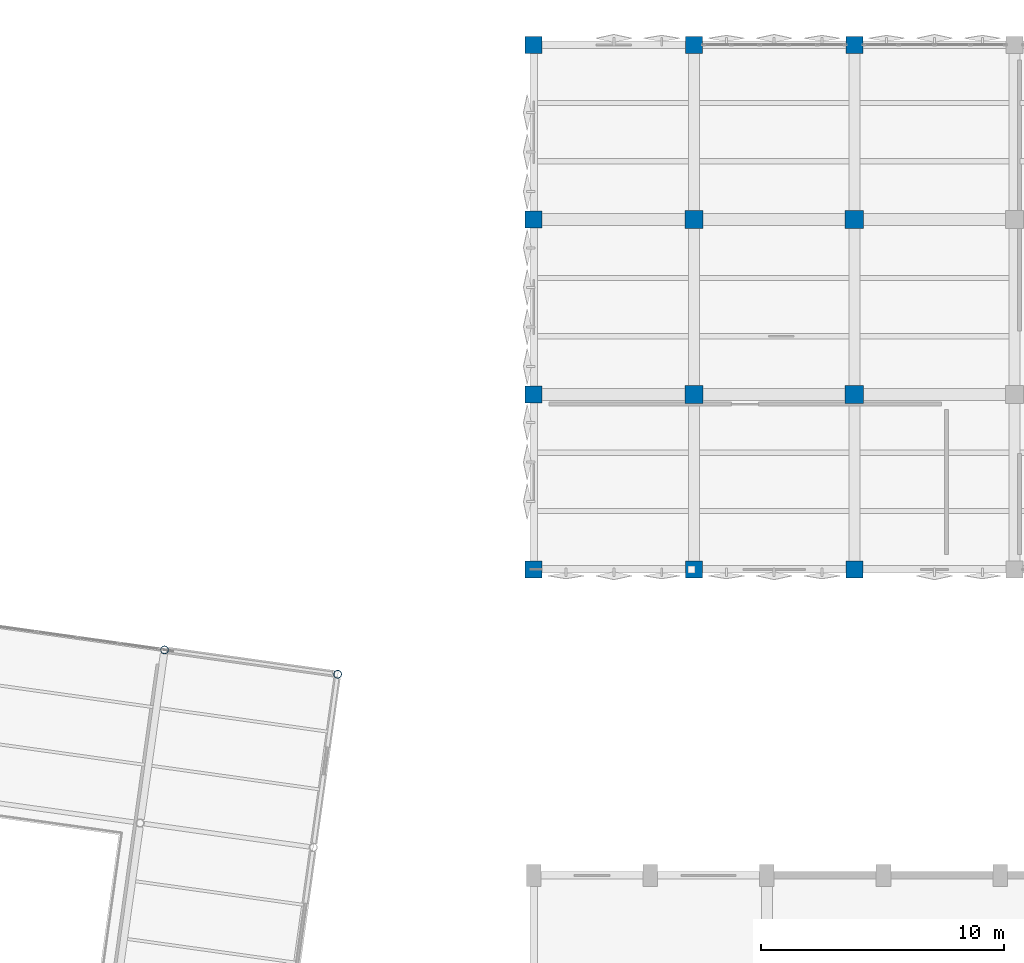
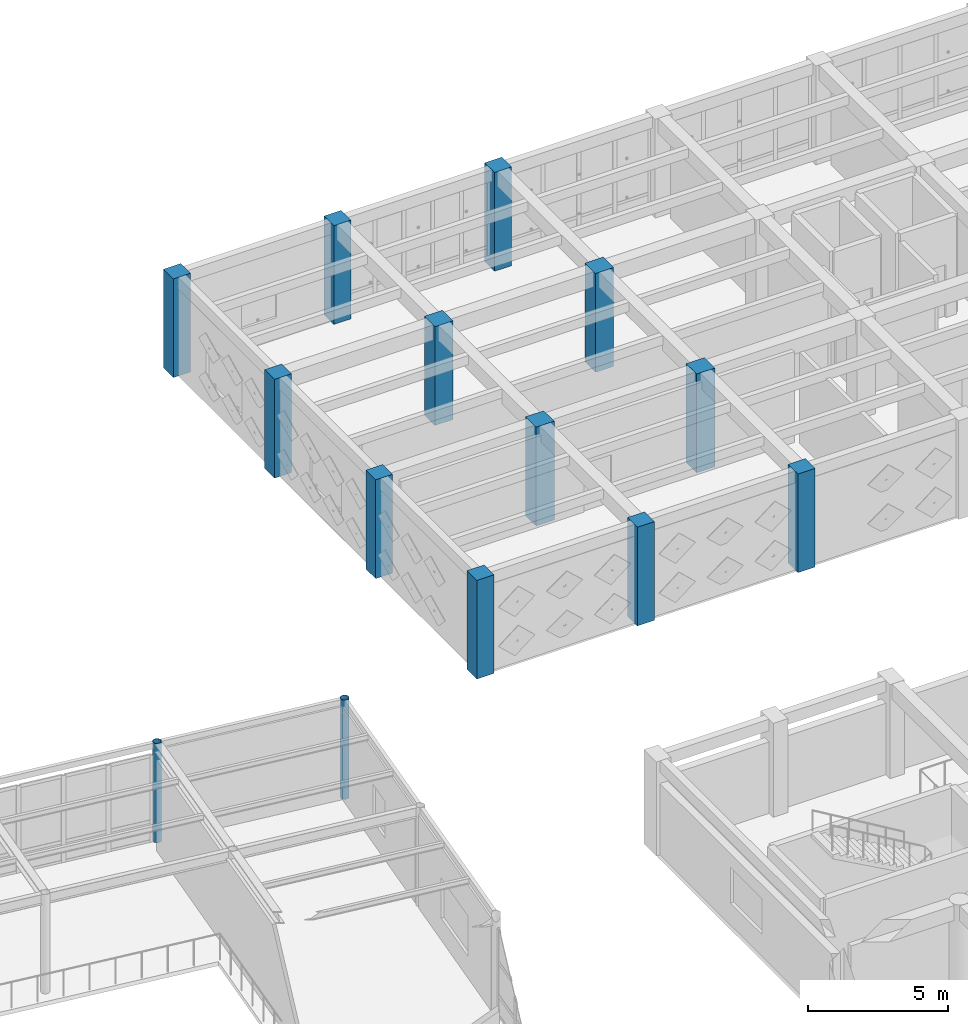
# One storey, part 9 of 80: 14 columns.
"""IFC4 building model written with IfcOpenShell, lengths in metres."""

import ifcopenshell
import ifcopenshell.guid

model = None  # the IFC model being written
_history = None  # IfcOwnerHistory: only IFC2X3 demands one
_inside = {}  # id of a spatial element -> (the spatial element, [elements in it])
_under = {}  # id of a project, library or spatial element -> (it, [spatial elements below it])
_declared = {}  # id of a project -> (the project, [libraries it declares])
_typed = {}  # id of a type object -> (the type object, [elements of that type])
_made_of = {}  # id of a material, layer set ... -> (it, [elements and type objects made of it])


def new_model(schema):
    """Start an empty IFC model of exactly this schema.

    Asked for "IFC4X3", IfcOpenShell would pick the latest addendum, in which some entities
    have other attributes; the version numbers below select the first issue.
    IFC2X3 requires an IfcOwnerHistory on every rooted entity: one is made here for all.
    """
    global model, _history
    if schema == "IFC4X3":
        model = ifcopenshell.file(schema_version=(4, 3, 0, 0))
    else:
        model = ifcopenshell.file(schema=schema)
    _inside.clear()
    _under.clear()
    _declared.clear()
    _typed.clear()
    _made_of.clear()
    _history = None
    if model.schema == "IFC2X3":
        org = make("IfcOrganization", Name="unknown")
        user = make(
            "IfcPersonAndOrganization",
            ThePerson=make("IfcPerson", FamilyName="unknown"),
            TheOrganization=org,
        )
        app = make(
            "IfcApplication",
            ApplicationDeveloper=org,
            Version="unknown",
            ApplicationFullName="unknown",
            ApplicationIdentifier="unknown",
        )
        _history = make(
            "IfcOwnerHistory",
            OwningUser=user,
            OwningApplication=app,
            ChangeAction="ADDED",
            CreationDate=0,
        )
    return model


def make(cls, **values):
    """One entity of the class cls with the attributes given. An attribute that is None is left unset."""
    return model.create_entity(
        cls, **{name: value for name, value in values.items() if value is not None}
    )


def rooted(cls, **values):
    """An entity with a GlobalId (a new one), such as an element, a storey or a relation."""
    return make(cls, GlobalId=ifcopenshell.guid.new(), OwnerHistory=_history, **values)


def si_unit(unit_type, name, prefix=None):
    """IfcSIUnit, for example si_unit("LENGTHUNIT", "METRE", prefix="MILLI")."""
    return make("IfcSIUnit", UnitType=unit_type, Prefix=prefix, Name=name)


def assignment(units):
    """IfcUnitAssignment: the units of a project."""
    return None if units is None else make("IfcUnitAssignment", Units=units)


def point(xyz):
    """IfcCartesianPoint."""
    return None if xyz is None else make("IfcCartesianPoint", Coordinates=xyz)


def direction(xyz):
    """IfcDirection."""
    return None if xyz is None else make("IfcDirection", DirectionRatios=xyz)


def frame(location, z_axis=None, x_axis=None):
    """IfcAxis2Placement3D, a coordinate frame: its origin and axes. An axis left out is left unset."""
    return make(
        "IfcAxis2Placement3D",
        Location=point(location),
        Axis=direction(z_axis),
        RefDirection=direction(x_axis),
    )


def frame_2d(location, x_axis=None):
    """IfcAxis2Placement2D, a coordinate frame in the plane: its origin and x axis."""
    return make(
        "IfcAxis2Placement2D", Location=point(location), RefDirection=direction(x_axis)
    )


def origin():
    """The frame at (0, 0, 0) with its axes left unset."""
    return frame((0.0, 0.0, 0.0))


def origin_2d():
    """The frame at (0, 0) in the plane with its x axis left unset."""
    return frame_2d((0.0, 0.0))


def place(relative_to, where):
    """IfcLocalPlacement: puts the frame where relative to a parent placement (None: the world)."""
    return make(
        "IfcLocalPlacement", PlacementRelTo=relative_to, RelativePlacement=where
    )


def context(
    kind, dimensions, precision=None, world=None, true_north=None, identifier=None
):
    """IfcGeometricRepresentationContext, for example the 3D "Model" context."""
    return make(
        "IfcGeometricRepresentationContext",
        ContextIdentifier=identifier,
        ContextType=kind,
        CoordinateSpaceDimension=dimensions,
        Precision=precision,
        WorldCoordinateSystem=world,
        TrueNorth=true_north,
    )


def subcontext(parent, identifier, kind, view, scale=None):
    """IfcGeometricRepresentationSubContext, for example "Body" below "Model"."""
    return make(
        "IfcGeometricRepresentationSubContext",
        ContextIdentifier=identifier,
        ContextType=kind,
        ParentContext=parent,
        TargetScale=scale,
        TargetView=view,
    )


def project(units=None, contexts=None):
    """IfcProject with its units and contexts."""
    return rooted(
        "IfcProject",
        Name="project",
        RepresentationContexts=contexts,
        UnitsInContext=assignment(units),
    )


def spatial(cls, under=None, at=None, **own):
    """A site, building, storey or space (cls), placed at a placement, below another one or the project."""
    s = rooted(cls, ObjectPlacement=at, **own)
    if under is not None:
        _under.setdefault(under.id(), (under, []))[1].append(s)
    return s


def profile(cls, at=None, kind="AREA", **sizes):
    """A parametric profile (cls). Its sizes go by their IFC names, for example OverallWidth=200.0."""
    return make(cls, ProfileType=kind, Position=at, **sizes)


def rectangle(**sizes):
    """IfcRectangleProfileDef."""
    return profile("IfcRectangleProfileDef", **sizes)


def hollow_circle(**sizes):
    """IfcCircleHollowProfileDef."""
    return profile("IfcCircleHollowProfileDef", **sizes)


def extrude(swept, where, along, depth):
    """IfcExtrudedAreaSolid: the profile swept, set in the frame where, extruded along a direction by depth."""
    return make(
        "IfcExtrudedAreaSolid",
        SweptArea=swept,
        Position=where,
        ExtrudedDirection=direction(along),
        Depth=depth,
    )


def shape(context_of_items, identifier, shape_type, items):
    """IfcShapeRepresentation: the items that make up one representation, for example the "Body"."""
    return make(
        "IfcShapeRepresentation",
        ContextOfItems=context_of_items,
        RepresentationIdentifier=identifier,
        RepresentationType=shape_type,
        Items=items,
    )


def material(Name=None, Category=None):
    """IfcMaterial."""
    return make("IfcMaterial", Name=Name, Category=Category)


def material_profile(
    of_material, cross_section, Name=None, Category=None, Priority=None
):
    """IfcMaterialProfile: a cross section and its material."""
    return make(
        "IfcMaterialProfile",
        Name=Name,
        Material=of_material,
        Profile=cross_section,
        Priority=Priority,
        Category=Category,
    )


def profile_set(profiles, Name=None, composite=None):
    """IfcMaterialProfileSet."""
    return make(
        "IfcMaterialProfileSet",
        Name=Name,
        MaterialProfiles=profiles,
        CompositeProfile=composite,
    )


def made_of(thing, what):
    """Note that an element or type object is made of a material, layer set ...; save() writes the relation."""
    if what is not None:
        _made_of.setdefault(what.id(), (what, []))[1].append(thing)
    return thing


def type_object(cls, material=None, **own):
    """A type object (cls), such as IfcWallType, which elements share."""
    return made_of(rooted(cls, **own), material)


def element(
    cls,
    number,
    at=None,
    inside=None,
    cuts=None,
    type_object=None,
    material=None,
    context=None,
    identifier="Body",
    shape_type=None,
    held_by="IfcProductDefinitionShape",
    body=None,
    shapes=None,
    **own,
):
    """One element of the class cls, such as IfcWall. Its Tag is "e" and its number.

    at: its placement. inside: the storey or other place that contains it. cuts: it is an
    opening in that element (IfcRelVoidsElement). A single representation is given by context,
    identifier, shape_type and body (its items); several are given by shapes. held_by: the class
    of the entity that holds the representations. save() writes the other relations.
    """
    e = rooted(cls, Tag="e%d" % number, ObjectPlacement=at, **own)
    if body is not None:
        shapes = [shape(context, identifier, shape_type, body)]
    if shapes is not None:
        e.Representation = make(held_by, Representations=shapes)
    if inside is not None:
        _inside.setdefault(inside.id(), (inside, []))[1].append(e)
    if cuts is not None:
        rooted(
            "IfcRelVoidsElement", RelatingBuildingElement=cuts, RelatedOpeningElement=e
        )
    if type_object is not None:
        _typed.setdefault(type_object.id(), (type_object, []))[1].append(e)
    return made_of(e, material)


def aggregate(whole, parts):
    """IfcRelAggregates: a whole, such as a stair, and the parts it consists of."""
    return rooted("IfcRelAggregates", RelatingObject=whole, RelatedObjects=parts)


def save(model, path):
    """Write the relations noted so far, then the file.

    IfcRelAggregates (storeys below a building ...), IfcRelContainedInSpatialStructure (elements
    in a storey), IfcRelDefinesByType, IfcRelAssociatesMaterial and IfcRelDeclares: one each for
    every whole, place, type object, material and project.
    """
    for whole, parts in _under.values():
        aggregate(whole, parts)
    for where, things in _inside.values():
        rooted(
            "IfcRelContainedInSpatialStructure",
            RelatedElements=things,
            RelatingStructure=where,
        )
    for kind, things in _typed.values():
        rooted("IfcRelDefinesByType", RelatedObjects=things, RelatingType=kind)
    for what, things in _made_of.values():
        rooted("IfcRelAssociatesMaterial", RelatedObjects=things, RelatingMaterial=what)
    for by, libraries in _declared.values():
        rooted("IfcRelDeclares", RelatingContext=by, RelatedDefinitions=libraries)
    model.write(path)


model = new_model("IFC4")

# Units and contexts
model_context = context("Model", 3, precision=1e-05, world=origin(), true_north=direction((0.0, 1.0)))
body_context = subcontext(model_context, "Body", "Model", "MODEL_VIEW")
ifc_project = project(units=[si_unit("LENGTHUNIT", "METRE"), si_unit("AREAUNIT", "SQUARE_METRE"), si_unit("VOLUMEUNIT", "CUBIC_METRE"), si_unit("PLANEANGLEUNIT", "RADIAN"), si_unit("MASSUNIT", "GRAM", prefix="KILO")], contexts=[model_context])

# Site, building, storey
site_placement = place(None, origin())
site = spatial("IfcSite", under=ifc_project, at=site_placement, CompositionType="ELEMENT")
building_placement = place(site_placement, origin())
building = spatial("IfcBuilding", under=site, at=building_placement, Name="Kharisveld Research Institute", CompositionType="ELEMENT")
storey_placement = place(building_placement, frame((0.0, 0.0, 5.10009765625)))
storey = spatial("IfcBuildingStorey", under=building, at=storey_placement, Name="L01", CompositionType="ELEMENT", Elevation=5.10009765625)

# Columns
ifc_material_1 = material(Name="Concrete C40/50", Category="concrete")
ifc_material_profile_1 = material_profile(ifc_material_1, rectangle(XDim=0.699951171875, YDim=0.699951171875, at=origin_2d()))
ifc_profile_set_1 = profile_set([ifc_material_profile_1], Name="Concrete C40/50")
column_type_1 = type_object("IfcColumnType", Name="COL_RC_700", PredefinedType="COLUMN", material=ifc_profile_set_1)
for number, where, z_axis, x_axis, name in (
    (1, (114.60009765625, 39.199951171875, 0.0), (0.0, 0.0, 1.0), (1.0, 0.0, 0.0), "COL:V2:L01:U0V0"),
    (2, (114.60009765625, 46.39990234375, 0.0), (0.0, 0.0, 1.0), (1.0, 0.0, 0.0), "COL:V2:L01:U0V1"),
    (3, (114.60009765625, 53.60009765625, 0.0), (0.0, 0.0, 1.0), (1.0, 0.0, 0.0), "COL:V2:L01:U0V2"),
    (4, (114.60009765625, 60.800048828125, 0.0), (0.0, 0.0, 1.0), (1.0, 0.0, 0.0), "COL:V2:L01:U0V3"),
    (5, (121.199951171875, 39.199951171875, 0.0), (0.0, 0.0, 1.0), (1.0, 0.0, 0.0), "COL:V2:L01:U1V0"),
    (6, (121.199951171875, 60.800048828125, 0.0), (0.0, 0.0, 1.0), (1.0, 0.0, 0.0), "COL:V2:L01:U1V3"),
    (7, (127.800048828125, 39.199951171875, 0.0), (0.0, 0.0, 1.0), (1.0, 0.0, 0.0), "COL:V2:L01:U2V0"),
    (8, (127.800048828125, 60.800048828125, 0.0), (0.0, 0.0, 1.0), (1.0, 0.0, 0.0), "COL:V2:L01:U2V3"),
):
    element("IfcColumn", number, at=place(storey_placement, frame(where, z_axis=z_axis, x_axis=x_axis)), inside=storey, type_object=column_type_1, Name=name, PredefinedType="COLUMN", context=body_context, shape_type="SweptSolid", body=[
        extrude(rectangle(XDim=0.699951171875, YDim=0.699951171875, at=origin_2d()), origin(), (0.0, 0.0, 1.0), 4.289794921875),
    ])
ifc_material_2 = material(Name="Concrete C50/60", Category="concrete")
ifc_material_profile_2 = material_profile(ifc_material_2, rectangle(XDim=0.75, YDim=0.75, at=origin_2d()))
ifc_profile_set_2 = profile_set([ifc_material_profile_2], Name="Concrete C50/60")
column_type_2 = type_object("IfcColumnType", Name="COL_RC_750", PredefinedType="COLUMN", material=ifc_profile_set_2)
for number, where, z_axis, x_axis, name in (
    (9, (121.199951171875, 46.39990234375, 0.0), (0.0, 0.0, 1.0), (1.0, 0.0, 0.0), "COL:V2:L01:U1V1"),
    (10, (121.199951171875, 53.60009765625, 0.0), (0.0, 0.0, 1.0), (1.0, 0.0, 0.0), "COL:V2:L01:U1V2"),
    (11, (127.800048828125, 46.39990234375, 0.0), (0.0, 0.0, 1.0), (1.0, 0.0, 0.0), "COL:V2:L01:U2V1"),
    (12, (127.800048828125, 53.60009765625, 0.0), (0.0, 0.0, 1.0), (1.0, 0.0, 0.0), "COL:V2:L01:U2V2"),
):
    element("IfcColumn", number, at=place(storey_placement, frame(where, z_axis=z_axis, x_axis=x_axis)), inside=storey, type_object=column_type_2, Name=name, PredefinedType="COLUMN", context=body_context, shape_type="SweptSolid", body=[
        extrude(rectangle(XDim=0.75, YDim=0.75, at=origin_2d()), origin(), (0.0, 0.0, 1.0), 4.289794921875),
    ])
ifc_material_3 = material(Name="Steel S355J2H", Category="steel")
ifc_material_profile_3 = material_profile(ifc_material_3, hollow_circle(Radius=0.161865234375, WallThickness=0.012451171875, at=origin_2d()))
ifc_profile_set_3 = profile_set([ifc_material_profile_3], Name="Steel S355J2H")
column_type_3 = type_object("IfcColumnType", Name="COL_ST_CHS324", PredefinedType="COLUMN", material=ifc_profile_set_3)
for number, where, z_axis, x_axis, name in (
    (13, (99.39599609375, 35.883544921875, 0.0), (0.0, 0.0, 1.0), (0.990268068742, -0.13917310096, 0.0), "COL:V4:L01:U3V3"),
    (14, (106.52587890625, 34.881591796875, 0.0), (0.0, 0.0, 1.0), (0.990268068742, -0.13917310096, 0.0), "COL:V4:L01:U4V3"),
):
    element("IfcColumn", number, at=place(storey_placement, frame(where, z_axis=z_axis, x_axis=x_axis)), inside=storey, type_object=column_type_3, Name=name, PredefinedType="COLUMN", context=body_context, shape_type="SweptSolid", body=[
        extrude(hollow_circle(Radius=0.161865234375, WallThickness=0.012451171875, at=origin_2d()), origin(), (0.0, 0.0, 1.0), 4.309814453125),
    ])

save(model, "model.ifc")
